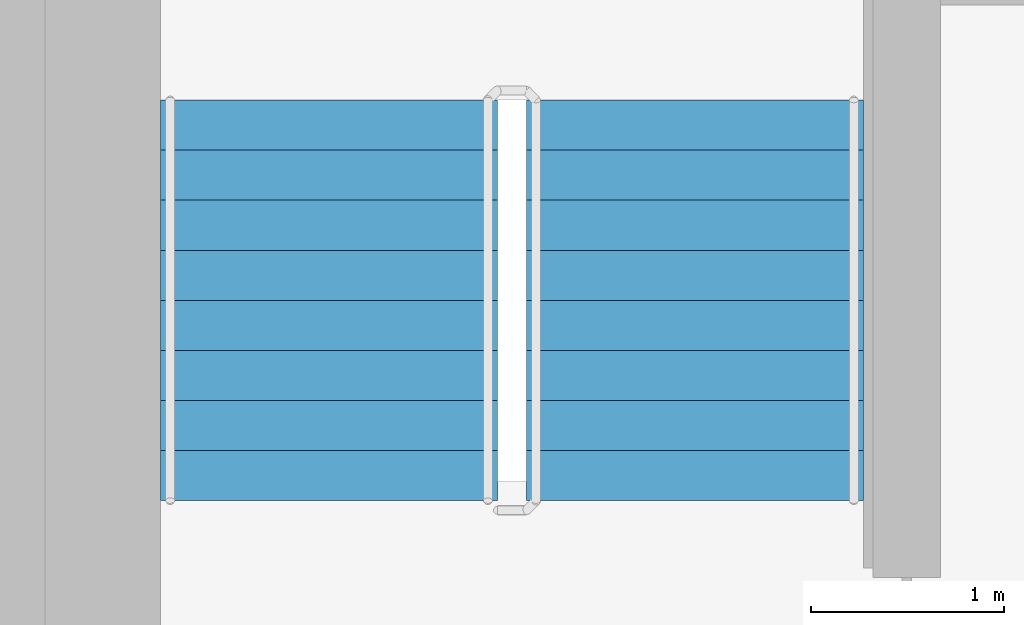
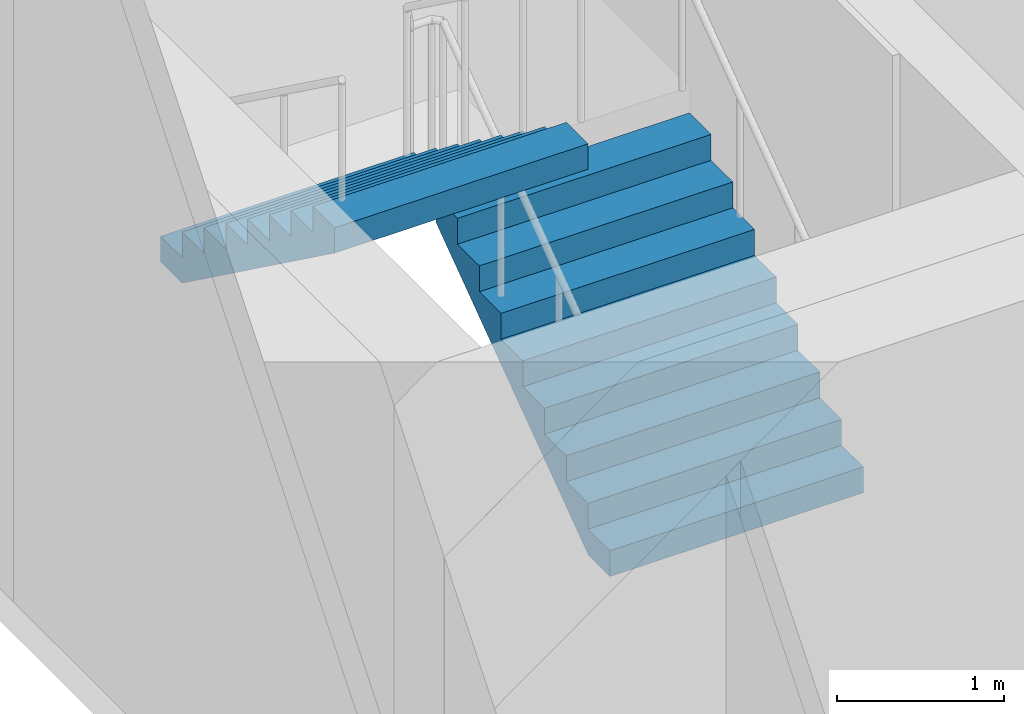
# One storey, part 15 of 18: 2 stair flights, 1 element without a shape of its own.
"""IFC4 building model written with IfcOpenShell, lengths in metres."""

from ifc_helpers import new_model, si_unit, direction, frame, origin, place, context, subcontext, project, spatial, faceted_brep, material, type_object, element, aggregate, save


model = new_model("IFC4")

# Units and contexts
model_context = context("Model", 3, precision=1e-05, world=origin(), true_north=direction((0.0, 1.0)))
body_context = subcontext(model_context, "Body", "Model", "MODEL_VIEW")
ifc_project = project(units=[si_unit("LENGTHUNIT", "METRE"), si_unit("AREAUNIT", "SQUARE_METRE"), si_unit("VOLUMEUNIT", "CUBIC_METRE"), si_unit("PLANEANGLEUNIT", "RADIAN"), si_unit("MASSUNIT", "GRAM", prefix="KILO")], contexts=[model_context])

# Site, building, storey
site_placement = place(None, origin())
site = spatial("IfcSite", under=ifc_project, at=site_placement, CompositionType="ELEMENT")
building_placement = place(site_placement, origin())
building = spatial("IfcBuilding", under=site, at=building_placement, Name="Ipe Terrace Towers", CompositionType="ELEMENT")
storey_placement = place(building_placement, frame((0.0, 0.0, 192.60009765625)))
storey = spatial("IfcBuildingStorey", under=building, at=storey_placement, Name="L53", CompositionType="ELEMENT", Elevation=192.60009765625)

# Stair, stair flights
ifc_material_1 = material(Name="Concrete C30/37", Category="concrete")
stair_type = type_object("IfcStairType", Name="Protected exit stair", PredefinedType="HALF_TURN_STAIR", material=ifc_material_1)
stair_placement = place(storey_placement, origin())
stair = element("IfcStair", 1, at=stair_placement, inside=storey, type_object=stair_type, Name="L53 Exit stair T2-C1", PredefinedType="HALF_TURN_STAIR")
ifc_material_2 = material(Name="Concrete C30/37", Category="concrete")
stair_flight_type = type_object("IfcStairFlightType", Name="Exit stair flight 1750", PredefinedType="STRAIGHT", material=ifc_material_2)
stair_flight_1_placement = place(storey_placement, frame((33.22509765625, 9.699951171875, 0.0), z_axis=(0.0, 0.0, 1.0), x_axis=(0.0, 1.0, 0.0)))
stair_flight_1 = element("IfcStairFlight", 2, at=stair_flight_1_placement, type_object=stair_flight_type, Name="T2-ST1 flight 1", NumberOfRisers=9, NumberOfTreads=8, PredefinedType="STRAIGHT", RiserHeight=0.188888889, TreadLength=0.26, context=body_context, shape_type="Brep", body=[
    faceted_brep([(0.255126953125, -0.875, 0.0), (2.080078125, -0.875, 1.325927734375), (2.080078125, -0.875, 1.51123046875), (1.820068359375, -0.875, 1.51123046875), (1.820068359375, -0.875, 1.322265625), (1.56005859375, -0.875, 1.322265625), (1.56005859375, -0.875, 1.13330078125), (1.300048828125, -0.875, 1.13330078125), (1.300048828125, -0.875, 0.9443359375), (1.0400390625, -0.875, 0.9443359375), (1.0400390625, -0.875, 0.755615234375), (0.780029296875, -0.875, 0.755615234375), (0.780029296875, -0.875, 0.566650390625), (0.52001953125, -0.875, 0.566650390625), (0.52001953125, -0.875, 0.377685546875), (0.260009765625, -0.875, 0.377685546875), (0.260009765625, -0.875, 0.18896484375), (0.0, -0.875, 0.18896484375), (0.0, -0.875, 0.0), (0.0, 0.875, 0.0), (0.0, 0.875, 0.18896484375), (0.260009765625, 0.875, 0.18896484375), (0.260009765625, 0.875, 0.377685546875), (0.52001953125, 0.875, 0.377685546875), (0.52001953125, 0.875, 0.566650390625), (0.780029296875, 0.875, 0.566650390625), (0.780029296875, 0.875, 0.755615234375), (1.0400390625, 0.875, 0.755615234375), (1.0400390625, 0.875, 0.9443359375), (1.300048828125, 0.875, 0.9443359375), (1.300048828125, 0.875, 1.13330078125), (1.56005859375, 0.875, 1.13330078125), (1.56005859375, 0.875, 1.322265625), (1.820068359375, 0.875, 1.322265625), (1.820068359375, 0.875, 1.51123046875), (2.080078125, 0.875, 1.51123046875), (2.080078125, 0.875, 1.325927734375), (0.255126953125, 0.875, 0.0), (0.0, -0.300048828125, 0.18896484375), (0.0, -0.1201171875, 0.18896484375), (0.0, -0.06005859375, 0.18896484375), (0.0, -0.030029296875, 0.18896484375), (0.0, -0.010009765625, 0.18896484375), (0.0, 0.0, 0.18896484375), (0.0, 0.010009765625, 0.18896484375), (0.0, 0.030029296875, 0.18896484375), (0.0, 0.06005859375, 0.18896484375), (0.0, 0.1201171875, 0.18896484375), (0.0, 0.300048828125, 0.18896484375), (0.0, 0.300048828125, 0.0), (0.0, 0.1201171875, 0.0), (0.0, 0.06005859375, 0.0), (0.0, 0.030029296875, 0.0), (0.0, 0.010009765625, 0.0), (0.0, 0.0, 0.0), (0.0, -0.010009765625, 0.0), (0.0, -0.030029296875, 0.0), (0.0, -0.06005859375, 0.0), (0.0, -0.1201171875, 0.0), (0.0, -0.300048828125, 0.0), (0.260009765625, -0.300048828125, 0.18896484375), (0.260009765625, -0.1201171875, 0.18896484375), (0.260009765625, -0.06005859375, 0.18896484375), (0.260009765625, -0.030029296875, 0.18896484375), (0.260009765625, -0.010009765625, 0.18896484375), (0.260009765625, 0.0, 0.18896484375), (0.260009765625, 0.010009765625, 0.18896484375), (0.260009765625, 0.030029296875, 0.18896484375), (0.260009765625, 0.06005859375, 0.18896484375), (0.260009765625, 0.1201171875, 0.18896484375), (0.260009765625, 0.300048828125, 0.18896484375), (0.260009765625, -0.300048828125, 0.377685546875), (0.260009765625, -0.1201171875, 0.377685546875), (0.260009765625, -0.06005859375, 0.377685546875), (0.260009765625, -0.030029296875, 0.377685546875), (0.260009765625, -0.010009765625, 0.377685546875), (0.260009765625, 0.0, 0.377685546875), (0.260009765625, 0.010009765625, 0.377685546875), (0.260009765625, 0.030029296875, 0.377685546875), (0.260009765625, 0.06005859375, 0.377685546875), (0.260009765625, 0.1201171875, 0.377685546875), (0.260009765625, 0.300048828125, 0.377685546875), (0.52001953125, -0.300048828125, 0.377685546875), (0.52001953125, -0.1201171875, 0.377685546875), (0.52001953125, -0.06005859375, 0.377685546875), (0.52001953125, -0.030029296875, 0.377685546875), (0.52001953125, -0.010009765625, 0.377685546875), (0.52001953125, 0.0, 0.377685546875), (0.52001953125, 0.010009765625, 0.377685546875), (0.52001953125, 0.030029296875, 0.377685546875), (0.52001953125, 0.06005859375, 0.377685546875), (0.52001953125, 0.1201171875, 0.377685546875), (0.52001953125, 0.300048828125, 0.377685546875), (0.52001953125, -0.300048828125, 0.566650390625), (0.52001953125, -0.1201171875, 0.566650390625), (0.52001953125, -0.06005859375, 0.566650390625), (0.52001953125, -0.030029296875, 0.566650390625), (0.52001953125, -0.010009765625, 0.566650390625), (0.52001953125, 0.0, 0.566650390625), (0.52001953125, 0.010009765625, 0.566650390625), (0.52001953125, 0.030029296875, 0.566650390625), (0.52001953125, 0.06005859375, 0.566650390625), (0.52001953125, 0.1201171875, 0.566650390625), (0.52001953125, 0.300048828125, 0.566650390625), (0.780029296875, -0.300048828125, 0.566650390625), (0.780029296875, -0.1201171875, 0.566650390625), (0.780029296875, -0.06005859375, 0.566650390625), (0.780029296875, -0.030029296875, 0.566650390625), (0.780029296875, -0.010009765625, 0.566650390625), (0.780029296875, 0.0, 0.566650390625), (0.780029296875, 0.010009765625, 0.566650390625), (0.780029296875, 0.030029296875, 0.566650390625), (0.780029296875, 0.06005859375, 0.566650390625), (0.780029296875, 0.1201171875, 0.566650390625), (0.780029296875, 0.300048828125, 0.566650390625), (0.780029296875, -0.300048828125, 0.755615234375), (0.780029296875, -0.1201171875, 0.755615234375), (0.780029296875, -0.06005859375, 0.755615234375), (0.780029296875, -0.030029296875, 0.755615234375), (0.780029296875, -0.010009765625, 0.755615234375), (0.780029296875, 0.0, 0.755615234375), (0.780029296875, 0.010009765625, 0.755615234375), (0.780029296875, 0.030029296875, 0.755615234375), (0.780029296875, 0.06005859375, 0.755615234375), (0.780029296875, 0.1201171875, 0.755615234375), (0.780029296875, 0.300048828125, 0.755615234375), (1.0400390625, -0.300048828125, 0.755615234375), (1.0400390625, -0.1201171875, 0.755615234375), (1.0400390625, -0.06005859375, 0.755615234375), (1.0400390625, -0.030029296875, 0.755615234375), (1.0400390625, -0.010009765625, 0.755615234375), (1.0400390625, 0.0, 0.755615234375), (1.0400390625, 0.010009765625, 0.755615234375), (1.0400390625, 0.030029296875, 0.755615234375), (1.0400390625, 0.06005859375, 0.755615234375), (1.0400390625, 0.1201171875, 0.755615234375), (1.0400390625, 0.300048828125, 0.755615234375), (1.0400390625, -0.300048828125, 0.9443359375), (1.0400390625, -0.1201171875, 0.9443359375), (1.0400390625, -0.06005859375, 0.9443359375), (1.0400390625, -0.030029296875, 0.9443359375), (1.0400390625, -0.010009765625, 0.9443359375), (1.0400390625, 0.0, 0.9443359375), (1.0400390625, 0.010009765625, 0.9443359375), (1.0400390625, 0.030029296875, 0.9443359375), (1.0400390625, 0.06005859375, 0.9443359375), (1.0400390625, 0.1201171875, 0.9443359375), (1.0400390625, 0.300048828125, 0.9443359375), (1.300048828125, -0.300048828125, 0.9443359375), (1.300048828125, -0.1201171875, 0.9443359375), (1.300048828125, -0.06005859375, 0.9443359375), (1.300048828125, -0.030029296875, 0.9443359375), (1.300048828125, -0.010009765625, 0.9443359375), (1.300048828125, 0.0, 0.9443359375), (1.300048828125, 0.010009765625, 0.9443359375), (1.300048828125, 0.030029296875, 0.9443359375), (1.300048828125, 0.06005859375, 0.9443359375), (1.300048828125, 0.1201171875, 0.9443359375), (1.300048828125, 0.300048828125, 0.9443359375), (1.300048828125, -0.300048828125, 1.13330078125), (1.300048828125, -0.1201171875, 1.13330078125), (1.300048828125, -0.06005859375, 1.13330078125), (1.300048828125, -0.030029296875, 1.13330078125), (1.300048828125, -0.010009765625, 1.13330078125), (1.300048828125, 0.0, 1.13330078125), (1.300048828125, 0.010009765625, 1.13330078125), (1.300048828125, 0.030029296875, 1.13330078125), (1.300048828125, 0.06005859375, 1.13330078125), (1.300048828125, 0.1201171875, 1.13330078125), (1.300048828125, 0.300048828125, 1.13330078125), (1.56005859375, -0.300048828125, 1.13330078125), (1.56005859375, -0.1201171875, 1.13330078125), (1.56005859375, -0.06005859375, 1.13330078125), (1.56005859375, -0.030029296875, 1.13330078125), (1.56005859375, -0.010009765625, 1.13330078125), (1.56005859375, 0.0, 1.13330078125), (1.56005859375, 0.010009765625, 1.13330078125), (1.56005859375, 0.030029296875, 1.13330078125), (1.56005859375, 0.06005859375, 1.13330078125), (1.56005859375, 0.1201171875, 1.13330078125), (1.56005859375, 0.300048828125, 1.13330078125), (1.56005859375, -0.300048828125, 1.322265625), (1.56005859375, -0.1201171875, 1.322265625), (1.56005859375, -0.06005859375, 1.322265625), (1.56005859375, -0.030029296875, 1.322265625), (1.56005859375, -0.010009765625, 1.322265625), (1.56005859375, 0.0, 1.322265625), (1.56005859375, 0.010009765625, 1.322265625), (1.56005859375, 0.030029296875, 1.322265625), (1.56005859375, 0.06005859375, 1.322265625), (1.56005859375, 0.1201171875, 1.322265625), (1.56005859375, 0.300048828125, 1.322265625), (1.820068359375, -0.300048828125, 1.322265625), (1.820068359375, -0.1201171875, 1.322265625), (1.820068359375, -0.06005859375, 1.322265625), (1.820068359375, -0.030029296875, 1.322265625), (1.820068359375, -0.010009765625, 1.322265625), (1.820068359375, 0.0, 1.322265625), (1.820068359375, 0.010009765625, 1.322265625), (1.820068359375, 0.030029296875, 1.322265625), (1.820068359375, 0.06005859375, 1.322265625), (1.820068359375, 0.1201171875, 1.322265625), (1.820068359375, 0.300048828125, 1.322265625), (1.820068359375, -0.300048828125, 1.51123046875), (1.820068359375, -0.1201171875, 1.51123046875), (1.820068359375, -0.06005859375, 1.51123046875), (1.820068359375, -0.030029296875, 1.51123046875), (1.820068359375, -0.010009765625, 1.51123046875), (1.820068359375, 0.0, 1.51123046875), (1.820068359375, 0.010009765625, 1.51123046875), (1.820068359375, 0.030029296875, 1.51123046875), (1.820068359375, 0.06005859375, 1.51123046875), (1.820068359375, 0.1201171875, 1.51123046875), (1.820068359375, 0.300048828125, 1.51123046875), (2.080078125, -0.300048828125, 1.51123046875), (2.080078125, -0.1201171875, 1.51123046875), (2.080078125, -0.06005859375, 1.51123046875), (2.080078125, -0.030029296875, 1.51123046875), (2.080078125, -0.010009765625, 1.51123046875), (2.080078125, 0.0, 1.51123046875), (2.080078125, 0.010009765625, 1.51123046875), (2.080078125, 0.030029296875, 1.51123046875), (2.080078125, 0.06005859375, 1.51123046875), (2.080078125, 0.1201171875, 1.51123046875), (2.080078125, 0.300048828125, 1.51123046875), (2.080078125, -0.300048828125, 1.325927734375), (2.080078125, -0.1201171875, 1.325927734375), (2.080078125, -0.06005859375, 1.325927734375), (2.080078125, -0.030029296875, 1.325927734375), (2.080078125, -0.010009765625, 1.325927734375), (2.080078125, 0.0, 1.325927734375), (2.080078125, 0.010009765625, 1.325927734375), (2.080078125, 0.030029296875, 1.325927734375), (2.080078125, 0.06005859375, 1.325927734375), (2.080078125, 0.1201171875, 1.325927734375), (2.080078125, 0.300048828125, 1.325927734375), (0.255126953125, -0.300048828125, 0.0), (0.255126953125, -0.1201171875, 0.0), (0.255126953125, -0.06005859375, 0.0), (0.255126953125, -0.030029296875, 0.0), (0.255126953125, -0.010009765625, 0.0), (0.255126953125, 0.0, 0.0), (0.255126953125, 0.010009765625, 0.0), (0.255126953125, 0.030029296875, 0.0), (0.255126953125, 0.06005859375, 0.0), (0.255126953125, 0.1201171875, 0.0), (0.255126953125, 0.300048828125, 0.0)], [[[0, 1, 2, 3, 4, 5, 6, 7, 8, 9, 10, 11, 12, 13, 14, 15, 16, 17, 18]], [[19, 20, 21, 22, 23, 24, 25, 26, 27, 28, 29, 30, 31, 32, 33, 34, 35, 36, 37]], [[17, 38, 39, 40, 41, 42, 43, 44, 45, 46, 47, 48, 20, 19, 49, 50, 51, 52, 53, 54, 55, 56, 57, 58, 59, 18]], [[16, 60, 61, 62, 63, 64, 65, 66, 67, 68, 69, 70, 21, 20, 48, 47, 46, 45, 44, 43, 42, 41, 40, 39, 38, 17]], [[15, 71, 72, 73, 74, 75, 76, 77, 78, 79, 80, 81, 22, 21, 70, 69, 68, 67, 66, 65, 64, 63, 62, 61, 60, 16]], [[14, 82, 83, 84, 85, 86, 87, 88, 89, 90, 91, 92, 23, 22, 81, 80, 79, 78, 77, 76, 75, 74, 73, 72, 71, 15]], [[13, 93, 94, 95, 96, 97, 98, 99, 100, 101, 102, 103, 24, 23, 92, 91, 90, 89, 88, 87, 86, 85, 84, 83, 82, 14]], [[12, 104, 105, 106, 107, 108, 109, 110, 111, 112, 113, 114, 25, 24, 103, 102, 101, 100, 99, 98, 97, 96, 95, 94, 93, 13]], [[11, 115, 116, 117, 118, 119, 120, 121, 122, 123, 124, 125, 26, 25, 114, 113, 112, 111, 110, 109, 108, 107, 106, 105, 104, 12]], [[10, 126, 127, 128, 129, 130, 131, 132, 133, 134, 135, 136, 27, 26, 125, 124, 123, 122, 121, 120, 119, 118, 117, 116, 115, 11]], [[9, 137, 138, 139, 140, 141, 142, 143, 144, 145, 146, 147, 28, 27, 136, 135, 134, 133, 132, 131, 130, 129, 128, 127, 126, 10]], [[8, 148, 149, 150, 151, 152, 153, 154, 155, 156, 157, 158, 29, 28, 147, 146, 145, 144, 143, 142, 141, 140, 139, 138, 137, 9]], [[7, 159, 160, 161, 162, 163, 164, 165, 166, 167, 168, 169, 30, 29, 158, 157, 156, 155, 154, 153, 152, 151, 150, 149, 148, 8]], [[6, 170, 171, 172, 173, 174, 175, 176, 177, 178, 179, 180, 31, 30, 169, 168, 167, 166, 165, 164, 163, 162, 161, 160, 159, 7]], [[5, 181, 182, 183, 184, 185, 186, 187, 188, 189, 190, 191, 32, 31, 180, 179, 178, 177, 176, 175, 174, 173, 172, 171, 170, 6]], [[4, 192, 193, 194, 195, 196, 197, 198, 199, 200, 201, 202, 33, 32, 191, 190, 189, 188, 187, 186, 185, 184, 183, 182, 181, 5]], [[3, 203, 204, 205, 206, 207, 208, 209, 210, 211, 212, 213, 34, 33, 202, 201, 200, 199, 198, 197, 196, 195, 194, 193, 192, 4]], [[2, 214, 215, 216, 217, 218, 219, 220, 221, 222, 223, 224, 35, 34, 213, 212, 211, 210, 209, 208, 207, 206, 205, 204, 203, 3]], [[1, 225, 226, 227, 228, 229, 230, 231, 232, 233, 234, 235, 36, 35, 224, 223, 222, 221, 220, 219, 218, 217, 216, 215, 214, 2]], [[0, 236, 237, 238, 239, 240, 241, 242, 243, 244, 245, 246, 37, 36, 235, 234, 233, 232, 231, 230, 229, 228, 227, 226, 225, 1]], [[18, 59, 58, 57, 56, 55, 54, 53, 52, 51, 50, 49, 19, 37, 246, 245, 244, 243, 242, 241, 240, 239, 238, 237, 236, 0]]]),
])
stair_flight_2_placement = place(storey_placement, frame((31.324951171875, 11.780029296875, 1.699951171875), z_axis=(0.0, 0.0, 1.0), x_axis=(0.0, -1.0, 0.0)))
stair_flight_2 = element("IfcStairFlight", 3, at=stair_flight_2_placement, type_object=stair_flight_type, Name="T2-ST1 flight 2", NumberOfRisers=9, NumberOfTreads=8, PredefinedType="STRAIGHT", RiserHeight=0.188888889, TreadLength=0.26, context=body_context, shape_type="Brep", body=[
    faceted_brep([(0.255126953125, -0.875, 0.0), (2.080078125, -0.875, 1.325927734375), (2.080078125, -0.875, 1.51123046875), (1.820068359375, -0.875, 1.51123046875), (1.820068359375, -0.875, 1.322265625), (1.56005859375, -0.875, 1.322265625), (1.56005859375, -0.875, 1.13330078125), (1.300048828125, -0.875, 1.13330078125), (1.300048828125, -0.875, 0.9443359375), (1.0400390625, -0.875, 0.9443359375), (1.0400390625, -0.875, 0.755615234375), (0.780029296875, -0.875, 0.755615234375), (0.780029296875, -0.875, 0.566650390625), (0.52001953125, -0.875, 0.566650390625), (0.52001953125, -0.875, 0.377685546875), (0.260009765625, -0.875, 0.377685546875), (0.260009765625, -0.875, 0.18896484375), (0.0, -0.875, 0.18896484375), (0.0, -0.875, 0.0), (0.0, 0.875, 0.0), (0.0, 0.875, 0.18896484375), (0.260009765625, 0.875, 0.18896484375), (0.260009765625, 0.875, 0.377685546875), (0.52001953125, 0.875, 0.377685546875), (0.52001953125, 0.875, 0.566650390625), (0.780029296875, 0.875, 0.566650390625), (0.780029296875, 0.875, 0.755615234375), (1.0400390625, 0.875, 0.755615234375), (1.0400390625, 0.875, 0.9443359375), (1.300048828125, 0.875, 0.9443359375), (1.300048828125, 0.875, 1.13330078125), (1.56005859375, 0.875, 1.13330078125), (1.56005859375, 0.875, 1.322265625), (1.820068359375, 0.875, 1.322265625), (1.820068359375, 0.875, 1.51123046875), (2.080078125, 0.875, 1.51123046875), (2.080078125, 0.875, 1.325927734375), (0.255126953125, 0.875, 0.0), (0.0, -0.300048828125, 0.18896484375), (0.0, -0.1201171875, 0.18896484375), (0.0, -0.06005859375, 0.18896484375), (0.0, -0.030029296875, 0.18896484375), (0.0, -0.010009765625, 0.18896484375), (0.0, 0.0, 0.18896484375), (0.0, 0.010009765625, 0.18896484375), (0.0, 0.030029296875, 0.18896484375), (0.0, 0.06005859375, 0.18896484375), (0.0, 0.1201171875, 0.18896484375), (0.0, 0.300048828125, 0.18896484375), (0.0, 0.300048828125, 0.0), (0.0, 0.1201171875, 0.0), (0.0, 0.06005859375, 0.0), (0.0, 0.030029296875, 0.0), (0.0, 0.010009765625, 0.0), (0.0, 0.0, 0.0), (0.0, -0.010009765625, 0.0), (0.0, -0.030029296875, 0.0), (0.0, -0.06005859375, 0.0), (0.0, -0.1201171875, 0.0), (0.0, -0.300048828125, 0.0), (0.260009765625, -0.300048828125, 0.18896484375), (0.260009765625, -0.1201171875, 0.18896484375), (0.260009765625, -0.06005859375, 0.18896484375), (0.260009765625, -0.030029296875, 0.18896484375), (0.260009765625, -0.010009765625, 0.18896484375), (0.260009765625, 0.0, 0.18896484375), (0.260009765625, 0.010009765625, 0.18896484375), (0.260009765625, 0.030029296875, 0.18896484375), (0.260009765625, 0.06005859375, 0.18896484375), (0.260009765625, 0.1201171875, 0.18896484375), (0.260009765625, 0.300048828125, 0.18896484375), (0.260009765625, -0.300048828125, 0.377685546875), (0.260009765625, -0.1201171875, 0.377685546875), (0.260009765625, -0.06005859375, 0.377685546875), (0.260009765625, -0.030029296875, 0.377685546875), (0.260009765625, -0.010009765625, 0.377685546875), (0.260009765625, 0.0, 0.377685546875), (0.260009765625, 0.010009765625, 0.377685546875), (0.260009765625, 0.030029296875, 0.377685546875), (0.260009765625, 0.06005859375, 0.377685546875), (0.260009765625, 0.1201171875, 0.377685546875), (0.260009765625, 0.300048828125, 0.377685546875), (0.52001953125, -0.300048828125, 0.377685546875), (0.52001953125, -0.1201171875, 0.377685546875), (0.52001953125, -0.06005859375, 0.377685546875), (0.52001953125, -0.030029296875, 0.377685546875), (0.52001953125, -0.010009765625, 0.377685546875), (0.52001953125, 0.0, 0.377685546875), (0.52001953125, 0.010009765625, 0.377685546875), (0.52001953125, 0.030029296875, 0.377685546875), (0.52001953125, 0.06005859375, 0.377685546875), (0.52001953125, 0.1201171875, 0.377685546875), (0.52001953125, 0.300048828125, 0.377685546875), (0.52001953125, -0.300048828125, 0.566650390625), (0.52001953125, -0.1201171875, 0.566650390625), (0.52001953125, -0.06005859375, 0.566650390625), (0.52001953125, -0.030029296875, 0.566650390625), (0.52001953125, -0.010009765625, 0.566650390625), (0.52001953125, 0.0, 0.566650390625), (0.52001953125, 0.010009765625, 0.566650390625), (0.52001953125, 0.030029296875, 0.566650390625), (0.52001953125, 0.06005859375, 0.566650390625), (0.52001953125, 0.1201171875, 0.566650390625), (0.52001953125, 0.300048828125, 0.566650390625), (0.780029296875, -0.300048828125, 0.566650390625), (0.780029296875, -0.1201171875, 0.566650390625), (0.780029296875, -0.06005859375, 0.566650390625), (0.780029296875, -0.030029296875, 0.566650390625), (0.780029296875, -0.010009765625, 0.566650390625), (0.780029296875, 0.0, 0.566650390625), (0.780029296875, 0.010009765625, 0.566650390625), (0.780029296875, 0.030029296875, 0.566650390625), (0.780029296875, 0.06005859375, 0.566650390625), (0.780029296875, 0.1201171875, 0.566650390625), (0.780029296875, 0.300048828125, 0.566650390625), (0.780029296875, -0.300048828125, 0.755615234375), (0.780029296875, -0.1201171875, 0.755615234375), (0.780029296875, -0.06005859375, 0.755615234375), (0.780029296875, -0.030029296875, 0.755615234375), (0.780029296875, -0.010009765625, 0.755615234375), (0.780029296875, 0.0, 0.755615234375), (0.780029296875, 0.010009765625, 0.755615234375), (0.780029296875, 0.030029296875, 0.755615234375), (0.780029296875, 0.06005859375, 0.755615234375), (0.780029296875, 0.1201171875, 0.755615234375), (0.780029296875, 0.300048828125, 0.755615234375), (1.0400390625, -0.300048828125, 0.755615234375), (1.0400390625, -0.1201171875, 0.755615234375), (1.0400390625, -0.06005859375, 0.755615234375), (1.0400390625, -0.030029296875, 0.755615234375), (1.0400390625, -0.010009765625, 0.755615234375), (1.0400390625, 0.0, 0.755615234375), (1.0400390625, 0.010009765625, 0.755615234375), (1.0400390625, 0.030029296875, 0.755615234375), (1.0400390625, 0.06005859375, 0.755615234375), (1.0400390625, 0.1201171875, 0.755615234375), (1.0400390625, 0.300048828125, 0.755615234375), (1.0400390625, -0.300048828125, 0.9443359375), (1.0400390625, -0.1201171875, 0.9443359375), (1.0400390625, -0.06005859375, 0.9443359375), (1.0400390625, -0.030029296875, 0.9443359375), (1.0400390625, -0.010009765625, 0.9443359375), (1.0400390625, 0.0, 0.9443359375), (1.0400390625, 0.010009765625, 0.9443359375), (1.0400390625, 0.030029296875, 0.9443359375), (1.0400390625, 0.06005859375, 0.9443359375), (1.0400390625, 0.1201171875, 0.9443359375), (1.0400390625, 0.300048828125, 0.9443359375), (1.300048828125, -0.300048828125, 0.9443359375), (1.300048828125, -0.1201171875, 0.9443359375), (1.300048828125, -0.06005859375, 0.9443359375), (1.300048828125, -0.030029296875, 0.9443359375), (1.300048828125, -0.010009765625, 0.9443359375), (1.300048828125, 0.0, 0.9443359375), (1.300048828125, 0.010009765625, 0.9443359375), (1.300048828125, 0.030029296875, 0.9443359375), (1.300048828125, 0.06005859375, 0.9443359375), (1.300048828125, 0.1201171875, 0.9443359375), (1.300048828125, 0.300048828125, 0.9443359375), (1.300048828125, -0.300048828125, 1.13330078125), (1.300048828125, -0.1201171875, 1.13330078125), (1.300048828125, -0.06005859375, 1.13330078125), (1.300048828125, -0.030029296875, 1.13330078125), (1.300048828125, -0.010009765625, 1.13330078125), (1.300048828125, 0.0, 1.13330078125), (1.300048828125, 0.010009765625, 1.13330078125), (1.300048828125, 0.030029296875, 1.13330078125), (1.300048828125, 0.06005859375, 1.13330078125), (1.300048828125, 0.1201171875, 1.13330078125), (1.300048828125, 0.300048828125, 1.13330078125), (1.56005859375, -0.300048828125, 1.13330078125), (1.56005859375, -0.1201171875, 1.13330078125), (1.56005859375, -0.06005859375, 1.13330078125), (1.56005859375, -0.030029296875, 1.13330078125), (1.56005859375, -0.010009765625, 1.13330078125), (1.56005859375, 0.0, 1.13330078125), (1.56005859375, 0.010009765625, 1.13330078125), (1.56005859375, 0.030029296875, 1.13330078125), (1.56005859375, 0.06005859375, 1.13330078125), (1.56005859375, 0.1201171875, 1.13330078125), (1.56005859375, 0.300048828125, 1.13330078125), (1.56005859375, -0.300048828125, 1.322265625), (1.56005859375, -0.1201171875, 1.322265625), (1.56005859375, -0.06005859375, 1.322265625), (1.56005859375, -0.030029296875, 1.322265625), (1.56005859375, -0.010009765625, 1.322265625), (1.56005859375, 0.0, 1.322265625), (1.56005859375, 0.010009765625, 1.322265625), (1.56005859375, 0.030029296875, 1.322265625), (1.56005859375, 0.06005859375, 1.322265625), (1.56005859375, 0.1201171875, 1.322265625), (1.56005859375, 0.300048828125, 1.322265625), (1.820068359375, -0.300048828125, 1.322265625), (1.820068359375, -0.1201171875, 1.322265625), (1.820068359375, -0.06005859375, 1.322265625), (1.820068359375, -0.030029296875, 1.322265625), (1.820068359375, -0.010009765625, 1.322265625), (1.820068359375, 0.0, 1.322265625), (1.820068359375, 0.010009765625, 1.322265625), (1.820068359375, 0.030029296875, 1.322265625), (1.820068359375, 0.06005859375, 1.322265625), (1.820068359375, 0.1201171875, 1.322265625), (1.820068359375, 0.300048828125, 1.322265625), (1.820068359375, -0.300048828125, 1.51123046875), (1.820068359375, -0.1201171875, 1.51123046875), (1.820068359375, -0.06005859375, 1.51123046875), (1.820068359375, -0.030029296875, 1.51123046875), (1.820068359375, -0.010009765625, 1.51123046875), (1.820068359375, 0.0, 1.51123046875), (1.820068359375, 0.010009765625, 1.51123046875), (1.820068359375, 0.030029296875, 1.51123046875), (1.820068359375, 0.06005859375, 1.51123046875), (1.820068359375, 0.1201171875, 1.51123046875), (1.820068359375, 0.300048828125, 1.51123046875), (2.080078125, -0.300048828125, 1.51123046875), (2.080078125, -0.1201171875, 1.51123046875), (2.080078125, -0.06005859375, 1.51123046875), (2.080078125, -0.030029296875, 1.51123046875), (2.080078125, -0.010009765625, 1.51123046875), (2.080078125, 0.0, 1.51123046875), (2.080078125, 0.010009765625, 1.51123046875), (2.080078125, 0.030029296875, 1.51123046875), (2.080078125, 0.06005859375, 1.51123046875), (2.080078125, 0.1201171875, 1.51123046875), (2.080078125, 0.300048828125, 1.51123046875), (2.080078125, -0.300048828125, 1.325927734375), (2.080078125, -0.1201171875, 1.325927734375), (2.080078125, -0.06005859375, 1.325927734375), (2.080078125, -0.030029296875, 1.325927734375), (2.080078125, -0.010009765625, 1.325927734375), (2.080078125, 0.0, 1.325927734375), (2.080078125, 0.010009765625, 1.325927734375), (2.080078125, 0.030029296875, 1.325927734375), (2.080078125, 0.06005859375, 1.325927734375), (2.080078125, 0.1201171875, 1.325927734375), (2.080078125, 0.300048828125, 1.325927734375), (0.255126953125, -0.300048828125, 0.0), (0.255126953125, -0.1201171875, 0.0), (0.255126953125, -0.06005859375, 0.0), (0.255126953125, -0.030029296875, 0.0), (0.255126953125, -0.010009765625, 0.0), (0.255126953125, 0.0, 0.0), (0.255126953125, 0.010009765625, 0.0), (0.255126953125, 0.030029296875, 0.0), (0.255126953125, 0.06005859375, 0.0), (0.255126953125, 0.1201171875, 0.0), (0.255126953125, 0.300048828125, 0.0)], [[[0, 1, 2, 3, 4, 5, 6, 7, 8, 9, 10, 11, 12, 13, 14, 15, 16, 17, 18]], [[19, 20, 21, 22, 23, 24, 25, 26, 27, 28, 29, 30, 31, 32, 33, 34, 35, 36, 37]], [[17, 38, 39, 40, 41, 42, 43, 44, 45, 46, 47, 48, 20, 19, 49, 50, 51, 52, 53, 54, 55, 56, 57, 58, 59, 18]], [[16, 60, 61, 62, 63, 64, 65, 66, 67, 68, 69, 70, 21, 20, 48, 47, 46, 45, 44, 43, 42, 41, 40, 39, 38, 17]], [[15, 71, 72, 73, 74, 75, 76, 77, 78, 79, 80, 81, 22, 21, 70, 69, 68, 67, 66, 65, 64, 63, 62, 61, 60, 16]], [[14, 82, 83, 84, 85, 86, 87, 88, 89, 90, 91, 92, 23, 22, 81, 80, 79, 78, 77, 76, 75, 74, 73, 72, 71, 15]], [[13, 93, 94, 95, 96, 97, 98, 99, 100, 101, 102, 103, 24, 23, 92, 91, 90, 89, 88, 87, 86, 85, 84, 83, 82, 14]], [[12, 104, 105, 106, 107, 108, 109, 110, 111, 112, 113, 114, 25, 24, 103, 102, 101, 100, 99, 98, 97, 96, 95, 94, 93, 13]], [[11, 115, 116, 117, 118, 119, 120, 121, 122, 123, 124, 125, 26, 25, 114, 113, 112, 111, 110, 109, 108, 107, 106, 105, 104, 12]], [[10, 126, 127, 128, 129, 130, 131, 132, 133, 134, 135, 136, 27, 26, 125, 124, 123, 122, 121, 120, 119, 118, 117, 116, 115, 11]], [[9, 137, 138, 139, 140, 141, 142, 143, 144, 145, 146, 147, 28, 27, 136, 135, 134, 133, 132, 131, 130, 129, 128, 127, 126, 10]], [[8, 148, 149, 150, 151, 152, 153, 154, 155, 156, 157, 158, 29, 28, 147, 146, 145, 144, 143, 142, 141, 140, 139, 138, 137, 9]], [[7, 159, 160, 161, 162, 163, 164, 165, 166, 167, 168, 169, 30, 29, 158, 157, 156, 155, 154, 153, 152, 151, 150, 149, 148, 8]], [[6, 170, 171, 172, 173, 174, 175, 176, 177, 178, 179, 180, 31, 30, 169, 168, 167, 166, 165, 164, 163, 162, 161, 160, 159, 7]], [[5, 181, 182, 183, 184, 185, 186, 187, 188, 189, 190, 191, 32, 31, 180, 179, 178, 177, 176, 175, 174, 173, 172, 171, 170, 6]], [[4, 192, 193, 194, 195, 196, 197, 198, 199, 200, 201, 202, 33, 32, 191, 190, 189, 188, 187, 186, 185, 184, 183, 182, 181, 5]], [[3, 203, 204, 205, 206, 207, 208, 209, 210, 211, 212, 213, 34, 33, 202, 201, 200, 199, 198, 197, 196, 195, 194, 193, 192, 4]], [[2, 214, 215, 216, 217, 218, 219, 220, 221, 222, 223, 224, 35, 34, 213, 212, 211, 210, 209, 208, 207, 206, 205, 204, 203, 3]], [[1, 225, 226, 227, 228, 229, 230, 231, 232, 233, 234, 235, 36, 35, 224, 223, 222, 221, 220, 219, 218, 217, 216, 215, 214, 2]], [[0, 236, 237, 238, 239, 240, 241, 242, 243, 244, 245, 246, 37, 36, 235, 234, 233, 232, 231, 230, 229, 228, 227, 226, 225, 1]], [[18, 59, 58, 57, 56, 55, 54, 53, 52, 51, 50, 49, 19, 37, 246, 245, 244, 243, 242, 241, 240, 239, 238, 237, 236, 0]]]),
])
aggregate(stair, [stair_flight_1, stair_flight_2])

save(model, "model.ifc")
